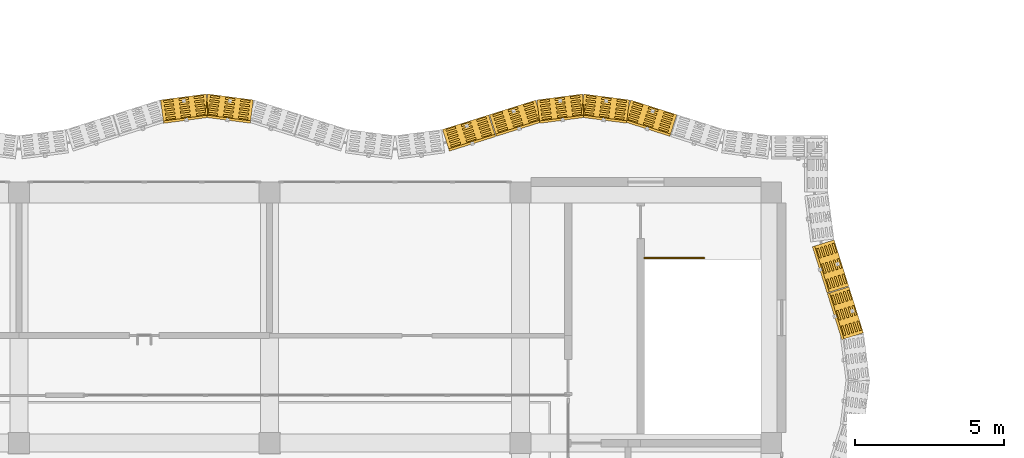
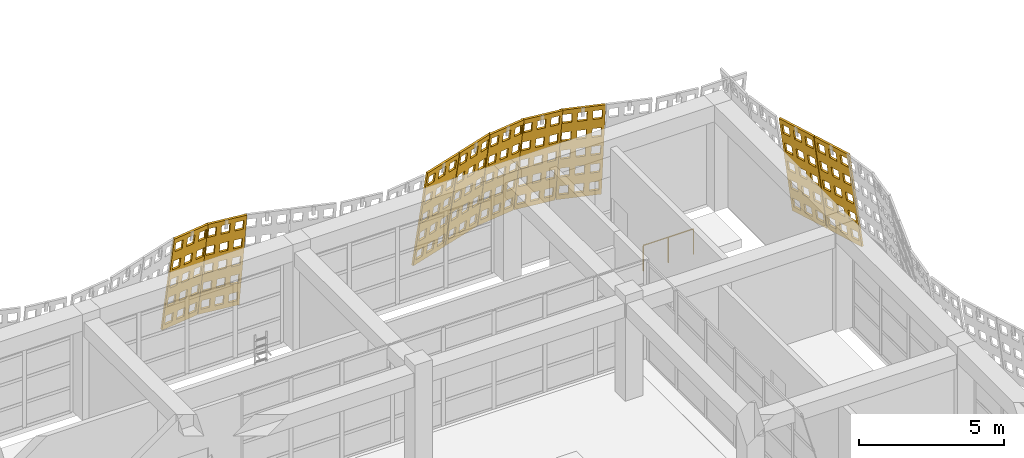
# One storey, part 84 of 85: 9 coverings, 1 railing.
"""IFC4 building model written with IfcOpenShell, lengths in metres."""

import ifcopenshell
import ifcopenshell.guid

model = None  # the IFC model being written
_history = None  # IfcOwnerHistory: only IFC2X3 demands one
_inside = {}  # id of a spatial element -> (the spatial element, [elements in it])
_under = {}  # id of a project, library or spatial element -> (it, [spatial elements below it])
_declared = {}  # id of a project -> (the project, [libraries it declares])
_typed = {}  # id of a type object -> (the type object, [elements of that type])
_made_of = {}  # id of a material, layer set ... -> (it, [elements and type objects made of it])


def new_model(schema):
    """Start an empty IFC model of exactly this schema.

    Asked for "IFC4X3", IfcOpenShell would pick the latest addendum, in which some entities
    have other attributes; the version numbers below select the first issue.
    IFC2X3 requires an IfcOwnerHistory on every rooted entity: one is made here for all.
    """
    global model, _history
    if schema == "IFC4X3":
        model = ifcopenshell.file(schema_version=(4, 3, 0, 0))
    else:
        model = ifcopenshell.file(schema=schema)
    _inside.clear()
    _under.clear()
    _declared.clear()
    _typed.clear()
    _made_of.clear()
    _history = None
    if model.schema == "IFC2X3":
        org = make("IfcOrganization", Name="unknown")
        user = make(
            "IfcPersonAndOrganization",
            ThePerson=make("IfcPerson", FamilyName="unknown"),
            TheOrganization=org,
        )
        app = make(
            "IfcApplication",
            ApplicationDeveloper=org,
            Version="unknown",
            ApplicationFullName="unknown",
            ApplicationIdentifier="unknown",
        )
        _history = make(
            "IfcOwnerHistory",
            OwningUser=user,
            OwningApplication=app,
            ChangeAction="ADDED",
            CreationDate=0,
        )
    return model


def make(cls, **values):
    """One entity of the class cls with the attributes given. An attribute that is None is left unset."""
    return model.create_entity(
        cls, **{name: value for name, value in values.items() if value is not None}
    )


def rooted(cls, **values):
    """An entity with a GlobalId (a new one), such as an element, a storey or a relation."""
    return make(cls, GlobalId=ifcopenshell.guid.new(), OwnerHistory=_history, **values)


def si_unit(unit_type, name, prefix=None):
    """IfcSIUnit, for example si_unit("LENGTHUNIT", "METRE", prefix="MILLI")."""
    return make("IfcSIUnit", UnitType=unit_type, Prefix=prefix, Name=name)


def assignment(units):
    """IfcUnitAssignment: the units of a project."""
    return None if units is None else make("IfcUnitAssignment", Units=units)


def point(xyz):
    """IfcCartesianPoint."""
    return None if xyz is None else make("IfcCartesianPoint", Coordinates=xyz)


def direction(xyz):
    """IfcDirection."""
    return None if xyz is None else make("IfcDirection", DirectionRatios=xyz)


def frame(location, z_axis=None, x_axis=None):
    """IfcAxis2Placement3D, a coordinate frame: its origin and axes. An axis left out is left unset."""
    return make(
        "IfcAxis2Placement3D",
        Location=point(location),
        Axis=direction(z_axis),
        RefDirection=direction(x_axis),
    )


def frame_2d(location, x_axis=None):
    """IfcAxis2Placement2D, a coordinate frame in the plane: its origin and x axis."""
    return make(
        "IfcAxis2Placement2D", Location=point(location), RefDirection=direction(x_axis)
    )


def origin():
    """The frame at (0, 0, 0) with its axes left unset."""
    return frame((0.0, 0.0, 0.0))


def origin_2d():
    """The frame at (0, 0) in the plane with its x axis left unset."""
    return frame_2d((0.0, 0.0))


def place(relative_to, where):
    """IfcLocalPlacement: puts the frame where relative to a parent placement (None: the world)."""
    return make(
        "IfcLocalPlacement", PlacementRelTo=relative_to, RelativePlacement=where
    )


def context(
    kind, dimensions, precision=None, world=None, true_north=None, identifier=None
):
    """IfcGeometricRepresentationContext, for example the 3D "Model" context."""
    return make(
        "IfcGeometricRepresentationContext",
        ContextIdentifier=identifier,
        ContextType=kind,
        CoordinateSpaceDimension=dimensions,
        Precision=precision,
        WorldCoordinateSystem=world,
        TrueNorth=true_north,
    )


def subcontext(parent, identifier, kind, view, scale=None):
    """IfcGeometricRepresentationSubContext, for example "Body" below "Model"."""
    return make(
        "IfcGeometricRepresentationSubContext",
        ContextIdentifier=identifier,
        ContextType=kind,
        ParentContext=parent,
        TargetScale=scale,
        TargetView=view,
    )


def project(units=None, contexts=None):
    """IfcProject with its units and contexts."""
    return rooted(
        "IfcProject",
        Name="project",
        RepresentationContexts=contexts,
        UnitsInContext=assignment(units),
    )


def spatial(cls, under=None, at=None, **own):
    """A site, building, storey or space (cls), placed at a placement, below another one or the project."""
    s = rooted(cls, ObjectPlacement=at, **own)
    if under is not None:
        _under.setdefault(under.id(), (under, []))[1].append(s)
    return s


def polyline(points):
    """IfcPolyline through the points."""
    return make("IfcPolyline", Points=[point(p) for p in points])


def profile(cls, at=None, kind="AREA", **sizes):
    """A parametric profile (cls). Its sizes go by their IFC names, for example OverallWidth=200.0."""
    return make(cls, ProfileType=kind, Position=at, **sizes)


def circle(**sizes):
    """IfcCircleProfileDef."""
    return profile("IfcCircleProfileDef", **sizes)


def outline(outer, holes=None, kind="AREA"):
    """IfcArbitraryClosedProfileDef: a profile drawn as a closed curve; with holes, ...WithVoids."""
    if holes is None:
        return make("IfcArbitraryClosedProfileDef", ProfileType=kind, OuterCurve=outer)
    return make(
        "IfcArbitraryProfileDefWithVoids",
        ProfileType=kind,
        OuterCurve=outer,
        InnerCurves=holes,
    )


def extrude(swept, where, along, depth):
    """IfcExtrudedAreaSolid: the profile swept, set in the frame where, extruded along a direction by depth."""
    return make(
        "IfcExtrudedAreaSolid",
        SweptArea=swept,
        Position=where,
        ExtrudedDirection=direction(along),
        Depth=depth,
    )


def shape(context_of_items, identifier, shape_type, items):
    """IfcShapeRepresentation: the items that make up one representation, for example the "Body"."""
    return make(
        "IfcShapeRepresentation",
        ContextOfItems=context_of_items,
        RepresentationIdentifier=identifier,
        RepresentationType=shape_type,
        Items=items,
    )


def material(Name=None, Category=None):
    """IfcMaterial."""
    return make("IfcMaterial", Name=Name, Category=Category)


def layer(
    of_material, thickness, ventilated=None, Name=None, Category=None, Priority=None
):
    """IfcMaterialLayer: one layer of a wall or slab, of a material (None: an air gap)."""
    return make(
        "IfcMaterialLayer",
        Material=of_material,
        LayerThickness=thickness,
        IsVentilated=ventilated,
        Name=Name,
        Category=Category,
        Priority=Priority,
    )


def layer_set(layers, Name=None):
    """IfcMaterialLayerSet."""
    return make("IfcMaterialLayerSet", MaterialLayers=layers, LayerSetName=Name)


def made_of(thing, what):
    """Note that an element or type object is made of a material, layer set ...; save() writes the relation."""
    if what is not None:
        _made_of.setdefault(what.id(), (what, []))[1].append(thing)
    return thing


def type_object(cls, material=None, **own):
    """A type object (cls), such as IfcWallType, which elements share."""
    return made_of(rooted(cls, **own), material)


def element(
    cls,
    number,
    at=None,
    inside=None,
    cuts=None,
    type_object=None,
    material=None,
    context=None,
    identifier="Body",
    shape_type=None,
    held_by="IfcProductDefinitionShape",
    body=None,
    shapes=None,
    **own,
):
    """One element of the class cls, such as IfcWall. Its Tag is "e" and its number.

    at: its placement. inside: the storey or other place that contains it. cuts: it is an
    opening in that element (IfcRelVoidsElement). A single representation is given by context,
    identifier, shape_type and body (its items); several are given by shapes. held_by: the class
    of the entity that holds the representations. save() writes the other relations.
    """
    e = rooted(cls, Tag="e%d" % number, ObjectPlacement=at, **own)
    if body is not None:
        shapes = [shape(context, identifier, shape_type, body)]
    if shapes is not None:
        e.Representation = make(held_by, Representations=shapes)
    if inside is not None:
        _inside.setdefault(inside.id(), (inside, []))[1].append(e)
    if cuts is not None:
        rooted(
            "IfcRelVoidsElement", RelatingBuildingElement=cuts, RelatedOpeningElement=e
        )
    if type_object is not None:
        _typed.setdefault(type_object.id(), (type_object, []))[1].append(e)
    return made_of(e, material)


def aggregate(whole, parts):
    """IfcRelAggregates: a whole, such as a stair, and the parts it consists of."""
    return rooted("IfcRelAggregates", RelatingObject=whole, RelatedObjects=parts)


def save(model, path):
    """Write the relations noted so far, then the file.

    IfcRelAggregates (storeys below a building ...), IfcRelContainedInSpatialStructure (elements
    in a storey), IfcRelDefinesByType, IfcRelAssociatesMaterial and IfcRelDeclares: one each for
    every whole, place, type object, material and project.
    """
    for whole, parts in _under.values():
        aggregate(whole, parts)
    for where, things in _inside.values():
        rooted(
            "IfcRelContainedInSpatialStructure",
            RelatedElements=things,
            RelatingStructure=where,
        )
    for kind, things in _typed.values():
        rooted("IfcRelDefinesByType", RelatedObjects=things, RelatingType=kind)
    for what, things in _made_of.values():
        rooted("IfcRelAssociatesMaterial", RelatedObjects=things, RelatingMaterial=what)
    for by, libraries in _declared.values():
        rooted("IfcRelDeclares", RelatingContext=by, RelatedDefinitions=libraries)
    model.write(path)


model = new_model("IFC4")

# Units and contexts
model_context = context("Model", 3, precision=1e-05, world=origin(), true_north=direction((0.0, 1.0)))
body_context = subcontext(model_context, "Body", "Model", "MODEL_VIEW")
ifc_project = project(units=[si_unit("LENGTHUNIT", "METRE"), si_unit("AREAUNIT", "SQUARE_METRE"), si_unit("VOLUMEUNIT", "CUBIC_METRE"), si_unit("PLANEANGLEUNIT", "RADIAN"), si_unit("MASSUNIT", "GRAM", prefix="KILO")], contexts=[model_context])

# Site, building, storey
site_placement = place(None, origin())
site = spatial("IfcSite", under=ifc_project, at=site_placement, CompositionType="ELEMENT")
building_placement = place(site_placement, origin())
building = spatial("IfcBuilding", under=site, at=building_placement, Name="Rain Tree Exposition and Congress Centre", CompositionType="ELEMENT")
storey_placement = place(building_placement, frame((0.0, 0.0, 15.0)))
storey = spatial("IfcBuildingStorey", under=building, at=storey_placement, Name="L03", CompositionType="ELEMENT", Elevation=15.0)

# Coverings
ifc_material_1 = material(Name="Perforated terracotta", Category="masonry")
ifc_layer = layer(ifc_material_1, 0.080078125)
ifc_layer_set = layer_set([ifc_layer], Name="Perforated terracotta")
covering_type = type_object("IfcCoveringType", Name="Terracotta screen 80", PredefinedType="CLADDING", material=ifc_layer_set)
covering_1_placement = place(storey_placement, frame((53.493408203125, 45.67431640625, 0.0126953125), z_axis=(-0.942029390639, -0.295717964052, -0.158529217842), x_axis=(0.29950542383, -0.954094597562, 0.0)))
element("IfcCovering", 1, at=covering_1_placement, inside=storey, type_object=covering_type, Name="wing/screen/L03/064", PredefinedType="CLADDING", context=body_context, shape_type="SweptSolid", body=[
    extrude(outline(polyline([(-1.635986328125, 0.0), (-1.635986328125, 4.291259765625), (-0.02197265625, 4.291259765625), (-0.02197265625, 0.0), (-1.635986328125, 0.0)]), holes=[polyline([(-0.124267578125, 0.221435546875), (-0.124267578125, 0.63671875), (-0.457763671875, 0.63671875), (-0.457763671875, 0.221435546875), (-0.124267578125, 0.221435546875)]), polyline([(-0.124267578125, 1.07958984375), (-0.124267578125, 1.4951171875), (-0.457763671875, 1.4951171875), (-0.457763671875, 1.07958984375), (-0.124267578125, 1.07958984375)]), polyline([(-0.124267578125, 1.93798828125), (-0.124267578125, 2.353271484375), (-0.457763671875, 2.353271484375), (-0.457763671875, 1.93798828125), (-0.124267578125, 1.93798828125)]), polyline([(-0.124267578125, 2.796142578125), (-0.124267578125, 3.21142578125), (-0.457763671875, 3.21142578125), (-0.457763671875, 2.796142578125), (-0.124267578125, 2.796142578125)]), polyline([(-0.124267578125, 3.654541015625), (-0.124267578125, 4.06982421875), (-0.457763671875, 4.06982421875), (-0.457763671875, 3.654541015625), (-0.124267578125, 3.654541015625)]), polyline([(-0.662109375, 0.221435546875), (-0.662109375, 0.63671875), (-0.995849609375, 0.63671875), (-0.995849609375, 0.221435546875), (-0.662109375, 0.221435546875)]), polyline([(-0.662109375, 1.07958984375), (-0.662109375, 1.4951171875), (-0.995849609375, 1.4951171875), (-0.995849609375, 1.07958984375), (-0.662109375, 1.07958984375)]), polyline([(-0.662109375, 1.93798828125), (-0.662109375, 2.353271484375), (-0.995849609375, 2.353271484375), (-0.995849609375, 1.93798828125), (-0.662109375, 1.93798828125)]), polyline([(-0.662109375, 2.796142578125), (-0.662109375, 3.21142578125), (-0.995849609375, 3.21142578125), (-0.995849609375, 2.796142578125), (-0.662109375, 2.796142578125)]), polyline([(-0.662109375, 3.654541015625), (-0.662109375, 4.06982421875), (-0.995849609375, 4.06982421875), (-0.995849609375, 3.654541015625), (-0.662109375, 3.654541015625)]), polyline([(-1.2001953125, 0.221435546875), (-1.2001953125, 0.63671875), (-1.53369140625, 0.63671875), (-1.53369140625, 0.221435546875), (-1.2001953125, 0.221435546875)]), polyline([(-1.2001953125, 1.07958984375), (-1.2001953125, 1.4951171875), (-1.53369140625, 1.4951171875), (-1.53369140625, 1.07958984375), (-1.2001953125, 1.07958984375)]), polyline([(-1.2001953125, 1.93798828125), (-1.2001953125, 2.353271484375), (-1.53369140625, 2.353271484375), (-1.53369140625, 1.93798828125), (-1.2001953125, 1.93798828125)]), polyline([(-1.2001953125, 2.796142578125), (-1.2001953125, 3.21142578125), (-1.53369140625, 3.21142578125), (-1.53369140625, 2.796142578125), (-1.2001953125, 2.796142578125)]), polyline([(-1.2001953125, 3.654541015625), (-1.2001953125, 4.06982421875), (-1.53369140625, 4.06982421875), (-1.53369140625, 3.654541015625), (-1.2001953125, 3.654541015625)])]), origin(), (0.0, 0.0, 1.0), 0.080078125),
])
covering_2_placement = place(storey_placement, frame((52.998291015625, 47.24951171875, 0.0126953125), z_axis=(-0.940827598844, -0.299354235996, -0.158841023181), x_axis=(0.303203657277, -0.952925780013, 0.0)))
element("IfcCovering", 2, at=covering_2_placement, inside=storey, type_object=covering_type, Name="wing/screen/L03/065", PredefinedType="CLADDING", context=body_context, shape_type="SweptSolid", body=[
    extrude(outline(polyline([(-1.635986328125, 0.0), (-1.635986328125, 4.291259765625), (-0.014892578125, 4.291259765625), (-0.014892578125, 0.0), (-1.635986328125, 0.0)]), holes=[polyline([(-0.11767578125, 0.221435546875), (-0.11767578125, 0.63671875), (-0.45263671875, 0.63671875), (-0.45263671875, 0.221435546875), (-0.11767578125, 0.221435546875)]), polyline([(-0.11767578125, 1.07958984375), (-0.11767578125, 1.4951171875), (-0.45263671875, 1.4951171875), (-0.45263671875, 1.07958984375), (-0.11767578125, 1.07958984375)]), polyline([(-0.11767578125, 1.93798828125), (-0.11767578125, 2.353271484375), (-0.45263671875, 2.353271484375), (-0.45263671875, 1.93798828125), (-0.11767578125, 1.93798828125)]), polyline([(-0.11767578125, 2.796142578125), (-0.11767578125, 3.21142578125), (-0.45263671875, 3.21142578125), (-0.45263671875, 2.796142578125), (-0.11767578125, 2.796142578125)]), polyline([(-0.11767578125, 3.654541015625), (-0.11767578125, 4.06982421875), (-0.45263671875, 4.06982421875), (-0.45263671875, 3.654541015625), (-0.11767578125, 3.654541015625)]), polyline([(-0.657958984375, 0.221435546875), (-0.657958984375, 0.63671875), (-0.992919921875, 0.63671875), (-0.992919921875, 0.221435546875), (-0.657958984375, 0.221435546875)]), polyline([(-0.657958984375, 1.07958984375), (-0.657958984375, 1.4951171875), (-0.992919921875, 1.4951171875), (-0.992919921875, 1.07958984375), (-0.657958984375, 1.07958984375)]), polyline([(-0.657958984375, 1.93798828125), (-0.657958984375, 2.353271484375), (-0.992919921875, 2.353271484375), (-0.992919921875, 1.93798828125), (-0.657958984375, 1.93798828125)]), polyline([(-0.657958984375, 2.796142578125), (-0.657958984375, 3.21142578125), (-0.992919921875, 3.21142578125), (-0.992919921875, 2.796142578125), (-0.657958984375, 2.796142578125)]), polyline([(-0.657958984375, 3.654541015625), (-0.657958984375, 4.06982421875), (-0.992919921875, 4.06982421875), (-0.992919921875, 3.654541015625), (-0.657958984375, 3.654541015625)]), polyline([(-1.1982421875, 0.221435546875), (-1.1982421875, 0.63671875), (-1.533203125, 0.63671875), (-1.533203125, 0.221435546875), (-1.1982421875, 0.221435546875)]), polyline([(-1.1982421875, 1.07958984375), (-1.1982421875, 1.4951171875), (-1.533203125, 1.4951171875), (-1.533203125, 1.07958984375), (-1.1982421875, 1.07958984375)]), polyline([(-1.1982421875, 1.93798828125), (-1.1982421875, 2.353271484375), (-1.533203125, 2.353271484375), (-1.533203125, 1.93798828125), (-1.1982421875, 1.93798828125)]), polyline([(-1.1982421875, 2.796142578125), (-1.1982421875, 3.21142578125), (-1.533203125, 3.21142578125), (-1.533203125, 2.796142578125), (-1.1982421875, 2.796142578125)]), polyline([(-1.1982421875, 3.654541015625), (-1.1982421875, 4.06982421875), (-1.533203125, 4.06982421875), (-1.533203125, 3.654541015625), (-1.1982421875, 3.654541015625)])]), origin(), (0.0, 0.0, 1.0), 0.079833984375),
])
covering_3_placement = place(storey_placement, frame((47.24951171875, 52.998291015625, 0.0126953125), z_axis=(-0.299354235996, -0.940827598844, -0.158841023181), x_axis=(0.952925780013, -0.303203657277, 0.0)))
element("IfcCovering", 3, at=covering_3_placement, inside=storey, type_object=covering_type, Name="wing/screen/L03/071", PredefinedType="CLADDING", context=body_context, shape_type="SweptSolid", body=[
    extrude(outline(polyline([(-1.62890625, 0.0), (-1.62890625, 4.291259765625), (-0.014892578125, 4.291259765625), (-0.014892578125, 0.0), (-1.62890625, 0.0)]), holes=[polyline([(-0.1171875, 0.221435546875), (-0.1171875, 0.63671875), (-0.45068359375, 0.63671875), (-0.45068359375, 0.221435546875), (-0.1171875, 0.221435546875)]), polyline([(-0.1171875, 1.07958984375), (-0.1171875, 1.4951171875), (-0.45068359375, 1.4951171875), (-0.45068359375, 1.07958984375), (-0.1171875, 1.07958984375)]), polyline([(-0.1171875, 1.93798828125), (-0.1171875, 2.353271484375), (-0.45068359375, 2.353271484375), (-0.45068359375, 1.93798828125), (-0.1171875, 1.93798828125)]), polyline([(-0.1171875, 2.796142578125), (-0.1171875, 3.21142578125), (-0.45068359375, 3.21142578125), (-0.45068359375, 2.796142578125), (-0.1171875, 2.796142578125)]), polyline([(-0.1171875, 3.654541015625), (-0.1171875, 4.06982421875), (-0.45068359375, 4.06982421875), (-0.45068359375, 3.654541015625), (-0.1171875, 3.654541015625)]), polyline([(-0.6552734375, 0.221435546875), (-0.6552734375, 0.63671875), (-0.98876953125, 0.63671875), (-0.98876953125, 0.221435546875), (-0.6552734375, 0.221435546875)]), polyline([(-0.6552734375, 1.07958984375), (-0.6552734375, 1.4951171875), (-0.98876953125, 1.4951171875), (-0.98876953125, 1.07958984375), (-0.6552734375, 1.07958984375)]), polyline([(-0.6552734375, 1.93798828125), (-0.6552734375, 2.353271484375), (-0.98876953125, 2.353271484375), (-0.98876953125, 1.93798828125), (-0.6552734375, 1.93798828125)]), polyline([(-0.6552734375, 2.796142578125), (-0.6552734375, 3.21142578125), (-0.98876953125, 3.21142578125), (-0.98876953125, 2.796142578125), (-0.6552734375, 2.796142578125)]), polyline([(-0.6552734375, 3.654541015625), (-0.6552734375, 4.06982421875), (-0.98876953125, 4.06982421875), (-0.98876953125, 3.654541015625), (-0.6552734375, 3.654541015625)]), polyline([(-1.193115234375, 0.221435546875), (-1.193115234375, 0.63671875), (-1.526611328125, 0.63671875), (-1.526611328125, 0.221435546875), (-1.193115234375, 0.221435546875)]), polyline([(-1.193115234375, 1.07958984375), (-1.193115234375, 1.4951171875), (-1.526611328125, 1.4951171875), (-1.526611328125, 1.07958984375), (-1.193115234375, 1.07958984375)]), polyline([(-1.193115234375, 1.93798828125), (-1.193115234375, 2.353271484375), (-1.526611328125, 2.353271484375), (-1.526611328125, 1.93798828125), (-1.193115234375, 1.93798828125)]), polyline([(-1.193115234375, 2.796142578125), (-1.193115234375, 3.21142578125), (-1.526611328125, 3.21142578125), (-1.526611328125, 2.796142578125), (-1.193115234375, 2.796142578125)]), polyline([(-1.193115234375, 3.654541015625), (-1.193115234375, 4.06982421875), (-1.526611328125, 4.06982421875), (-1.526611328125, 3.654541015625), (-1.193115234375, 3.654541015625)])]), origin(), (0.0, 0.0, 1.0), 0.079833984375),
])
covering_4_placement = place(storey_placement, frame((45.6748046875, 53.4931640625, 0.01318359375), z_axis=(-0.127967328105, -0.978036007662, -0.16452942185), x_axis=(0.991548658387, -0.129735338481, 0.0)))
element("IfcCovering", 4, at=covering_4_placement, inside=storey, type_object=covering_type, Name="wing/screen/L03/072", PredefinedType="CLADDING", context=body_context, shape_type="SweptSolid", body=[
    extrude(outline(polyline([(-1.56298828125, 0.0), (-1.56298828125, 4.295166015625), (-0.02197265625, 4.295166015625), (-0.02197265625, 0.0), (-1.56298828125, 0.0)]), holes=[polyline([(-0.11962890625, 0.2216796875), (-0.11962890625, 0.63720703125), (-0.43798828125, 0.63720703125), (-0.43798828125, 0.2216796875), (-0.11962890625, 0.2216796875)]), polyline([(-0.11962890625, 1.080810546875), (-0.11962890625, 1.496337890625), (-0.43798828125, 1.496337890625), (-0.43798828125, 1.080810546875), (-0.11962890625, 1.080810546875)]), polyline([(-0.11962890625, 1.939697265625), (-0.11962890625, 2.35546875), (-0.43798828125, 2.35546875), (-0.43798828125, 1.939697265625), (-0.11962890625, 1.939697265625)]), polyline([(-0.11962890625, 2.798583984375), (-0.11962890625, 3.21435546875), (-0.43798828125, 3.21435546875), (-0.43798828125, 2.798583984375), (-0.11962890625, 2.798583984375)]), polyline([(-0.11962890625, 3.65771484375), (-0.11962890625, 4.073486328125), (-0.43798828125, 4.073486328125), (-0.43798828125, 3.65771484375), (-0.11962890625, 3.65771484375)]), polyline([(-0.63330078125, 0.2216796875), (-0.63330078125, 0.63720703125), (-0.95166015625, 0.63720703125), (-0.95166015625, 0.2216796875), (-0.63330078125, 0.2216796875)]), polyline([(-0.63330078125, 1.080810546875), (-0.63330078125, 1.496337890625), (-0.95166015625, 1.496337890625), (-0.95166015625, 1.080810546875), (-0.63330078125, 1.080810546875)]), polyline([(-0.63330078125, 1.939697265625), (-0.63330078125, 2.35546875), (-0.95166015625, 2.35546875), (-0.95166015625, 1.939697265625), (-0.63330078125, 1.939697265625)]), polyline([(-0.63330078125, 2.798583984375), (-0.63330078125, 3.21435546875), (-0.95166015625, 3.21435546875), (-0.95166015625, 2.798583984375), (-0.63330078125, 2.798583984375)]), polyline([(-0.63330078125, 3.65771484375), (-0.63330078125, 4.073486328125), (-0.95166015625, 4.073486328125), (-0.95166015625, 3.65771484375), (-0.63330078125, 3.65771484375)]), polyline([(-1.146728515625, 0.2216796875), (-1.146728515625, 0.63720703125), (-1.46533203125, 0.63720703125), (-1.46533203125, 0.2216796875), (-1.146728515625, 0.2216796875)]), polyline([(-1.146728515625, 1.080810546875), (-1.146728515625, 1.496337890625), (-1.46533203125, 1.496337890625), (-1.46533203125, 1.080810546875), (-1.146728515625, 1.080810546875)]), polyline([(-1.146728515625, 1.939697265625), (-1.146728515625, 2.35546875), (-1.46533203125, 2.35546875), (-1.46533203125, 1.939697265625), (-1.146728515625, 1.939697265625)]), polyline([(-1.146728515625, 2.798583984375), (-1.146728515625, 3.21435546875), (-1.46533203125, 3.21435546875), (-1.46533203125, 2.798583984375), (-1.146728515625, 2.798583984375)]), polyline([(-1.146728515625, 3.65771484375), (-1.146728515625, 4.073486328125), (-1.46533203125, 4.073486328125), (-1.46533203125, 3.65771484375), (-1.146728515625, 3.65771484375)])]), origin(), (0.0, 0.0, 1.0), 0.080078125),
])
covering_5_placement = place(storey_placement, frame((44.100341796875, 53.697998046875, 0.01318359375), z_axis=(0.128349774249, -0.9779030419, -0.165021138321), x_axis=(0.991496427865, 0.130133906157, 0.0)))
element("IfcCovering", 5, at=covering_5_placement, inside=storey, type_object=covering_type, Name="wing/screen/L03/073", PredefinedType="CLADDING", context=body_context, shape_type="SweptSolid", body=[
    extrude(outline(polyline([(-1.56640625, 0.0), (-1.56640625, 4.295166015625), (-0.025390625, 4.295166015625), (-0.025390625, 0.0), (-1.56640625, 0.0)]), holes=[polyline([(-0.123046875, 0.2216796875), (-0.123046875, 0.63720703125), (-0.44140625, 0.63720703125), (-0.44140625, 0.2216796875), (-0.123046875, 0.2216796875)]), polyline([(-0.123046875, 1.080810546875), (-0.123046875, 1.496337890625), (-0.44140625, 1.496337890625), (-0.44140625, 1.080810546875), (-0.123046875, 1.080810546875)]), polyline([(-0.123046875, 1.939697265625), (-0.123046875, 2.35546875), (-0.44140625, 2.35546875), (-0.44140625, 1.939697265625), (-0.123046875, 1.939697265625)]), polyline([(-0.123046875, 2.798583984375), (-0.123046875, 3.21435546875), (-0.44140625, 3.21435546875), (-0.44140625, 2.798583984375), (-0.123046875, 2.798583984375)]), polyline([(-0.123046875, 3.65771484375), (-0.123046875, 4.073486328125), (-0.44140625, 4.073486328125), (-0.44140625, 3.65771484375), (-0.123046875, 3.65771484375)]), polyline([(-0.63671875, 0.2216796875), (-0.63671875, 0.63720703125), (-0.955078125, 0.63720703125), (-0.955078125, 0.2216796875), (-0.63671875, 0.2216796875)]), polyline([(-0.63671875, 1.080810546875), (-0.63671875, 1.496337890625), (-0.955078125, 1.496337890625), (-0.955078125, 1.080810546875), (-0.63671875, 1.080810546875)]), polyline([(-0.63671875, 1.939697265625), (-0.63671875, 2.35546875), (-0.955078125, 2.35546875), (-0.955078125, 1.939697265625), (-0.63671875, 1.939697265625)]), polyline([(-0.63671875, 2.798583984375), (-0.63671875, 3.21435546875), (-0.955078125, 3.21435546875), (-0.955078125, 2.798583984375), (-0.63671875, 2.798583984375)]), polyline([(-0.63671875, 3.65771484375), (-0.63671875, 4.073486328125), (-0.955078125, 4.073486328125), (-0.955078125, 3.65771484375), (-0.63671875, 3.65771484375)]), polyline([(-1.150146484375, 0.2216796875), (-1.150146484375, 0.63720703125), (-1.46875, 0.63720703125), (-1.46875, 0.2216796875), (-1.150146484375, 0.2216796875)]), polyline([(-1.150146484375, 1.080810546875), (-1.150146484375, 1.496337890625), (-1.46875, 1.496337890625), (-1.46875, 1.080810546875), (-1.150146484375, 1.080810546875)]), polyline([(-1.150146484375, 1.939697265625), (-1.150146484375, 2.35546875), (-1.46875, 2.35546875), (-1.46875, 1.939697265625), (-1.150146484375, 1.939697265625)]), polyline([(-1.150146484375, 2.798583984375), (-1.150146484375, 3.21435546875), (-1.46875, 3.21435546875), (-1.46875, 2.798583984375), (-1.150146484375, 2.798583984375)]), polyline([(-1.150146484375, 3.65771484375), (-1.150146484375, 4.073486328125), (-1.46875, 4.073486328125), (-1.46875, 3.65771484375), (-1.150146484375, 3.65771484375)])]), origin(), (0.0, 0.0, 1.0), 0.079833984375),
])
covering_6_placement = place(storey_placement, frame((42.525634765625, 53.493408203125, 0.0126953125), z_axis=(0.295717964052, -0.942029390639, -0.158529217842), x_axis=(0.954094597562, 0.29950542383, 0.0)))
element("IfcCovering", 6, at=covering_6_placement, inside=storey, type_object=covering_type, Name="wing/screen/L03/074", PredefinedType="CLADDING", context=body_context, shape_type="SweptSolid", body=[
    extrude(outline(polyline([(-1.635986328125, 0.0), (-1.635986328125, 4.291259765625), (-0.02197265625, 4.291259765625), (-0.02197265625, 0.0), (-1.635986328125, 0.0)]), holes=[polyline([(-0.124267578125, 0.221435546875), (-0.124267578125, 0.63671875), (-0.457763671875, 0.63671875), (-0.457763671875, 0.221435546875), (-0.124267578125, 0.221435546875)]), polyline([(-0.124267578125, 1.07958984375), (-0.124267578125, 1.4951171875), (-0.457763671875, 1.4951171875), (-0.457763671875, 1.07958984375), (-0.124267578125, 1.07958984375)]), polyline([(-0.124267578125, 1.93798828125), (-0.124267578125, 2.353271484375), (-0.457763671875, 2.353271484375), (-0.457763671875, 1.93798828125), (-0.124267578125, 1.93798828125)]), polyline([(-0.124267578125, 2.796142578125), (-0.124267578125, 3.21142578125), (-0.457763671875, 3.21142578125), (-0.457763671875, 2.796142578125), (-0.124267578125, 2.796142578125)]), polyline([(-0.124267578125, 3.654541015625), (-0.124267578125, 4.06982421875), (-0.457763671875, 4.06982421875), (-0.457763671875, 3.654541015625), (-0.124267578125, 3.654541015625)]), polyline([(-0.662109375, 0.221435546875), (-0.662109375, 0.63671875), (-0.995849609375, 0.63671875), (-0.995849609375, 0.221435546875), (-0.662109375, 0.221435546875)]), polyline([(-0.662109375, 1.07958984375), (-0.662109375, 1.4951171875), (-0.995849609375, 1.4951171875), (-0.995849609375, 1.07958984375), (-0.662109375, 1.07958984375)]), polyline([(-0.662109375, 1.93798828125), (-0.662109375, 2.353271484375), (-0.995849609375, 2.353271484375), (-0.995849609375, 1.93798828125), (-0.662109375, 1.93798828125)]), polyline([(-0.662109375, 2.796142578125), (-0.662109375, 3.21142578125), (-0.995849609375, 3.21142578125), (-0.995849609375, 2.796142578125), (-0.662109375, 2.796142578125)]), polyline([(-0.662109375, 3.654541015625), (-0.662109375, 4.06982421875), (-0.995849609375, 4.06982421875), (-0.995849609375, 3.654541015625), (-0.662109375, 3.654541015625)]), polyline([(-1.2001953125, 0.221435546875), (-1.2001953125, 0.63671875), (-1.53369140625, 0.63671875), (-1.53369140625, 0.221435546875), (-1.2001953125, 0.221435546875)]), polyline([(-1.2001953125, 1.07958984375), (-1.2001953125, 1.4951171875), (-1.53369140625, 1.4951171875), (-1.53369140625, 1.07958984375), (-1.2001953125, 1.07958984375)]), polyline([(-1.2001953125, 1.93798828125), (-1.2001953125, 2.353271484375), (-1.53369140625, 2.353271484375), (-1.53369140625, 1.93798828125), (-1.2001953125, 1.93798828125)]), polyline([(-1.2001953125, 2.796142578125), (-1.2001953125, 3.21142578125), (-1.53369140625, 3.21142578125), (-1.53369140625, 2.796142578125), (-1.2001953125, 2.796142578125)]), polyline([(-1.2001953125, 3.654541015625), (-1.2001953125, 4.06982421875), (-1.53369140625, 4.06982421875), (-1.53369140625, 3.654541015625), (-1.2001953125, 3.654541015625)])]), origin(), (0.0, 0.0, 1.0), 0.080078125),
])
covering_7_placement = place(storey_placement, frame((40.95068359375, 52.998291015625, 0.0126953125), z_axis=(0.296569528658, -0.941684688936, -0.158985726703), x_axis=(0.953816392794, 0.300390227601, 0.0)))
element("IfcCovering", 7, at=covering_7_placement, inside=storey, type_object=covering_type, Name="wing/screen/L03/075", PredefinedType="CLADDING", context=body_context, shape_type="SweptSolid", body=[
    extrude(outline(polyline([(-1.635986328125, 0.0), (-1.635986328125, 4.291259765625), (-0.014892578125, 4.291259765625), (-0.014892578125, 0.0), (-1.635986328125, 0.0)]), holes=[polyline([(-0.11767578125, 0.221435546875), (-0.11767578125, 0.63671875), (-0.45263671875, 0.63671875), (-0.45263671875, 0.221435546875), (-0.11767578125, 0.221435546875)]), polyline([(-0.11767578125, 1.07958984375), (-0.11767578125, 1.4951171875), (-0.45263671875, 1.4951171875), (-0.45263671875, 1.07958984375), (-0.11767578125, 1.07958984375)]), polyline([(-0.11767578125, 1.93798828125), (-0.11767578125, 2.353271484375), (-0.45263671875, 2.353271484375), (-0.45263671875, 1.93798828125), (-0.11767578125, 1.93798828125)]), polyline([(-0.11767578125, 2.796142578125), (-0.11767578125, 3.21142578125), (-0.45263671875, 3.21142578125), (-0.45263671875, 2.796142578125), (-0.11767578125, 2.796142578125)]), polyline([(-0.11767578125, 3.654541015625), (-0.11767578125, 4.06982421875), (-0.45263671875, 4.06982421875), (-0.45263671875, 3.654541015625), (-0.11767578125, 3.654541015625)]), polyline([(-0.657958984375, 0.221435546875), (-0.657958984375, 0.63671875), (-0.992919921875, 0.63671875), (-0.992919921875, 0.221435546875), (-0.657958984375, 0.221435546875)]), polyline([(-0.657958984375, 1.07958984375), (-0.657958984375, 1.4951171875), (-0.992919921875, 1.4951171875), (-0.992919921875, 1.07958984375), (-0.657958984375, 1.07958984375)]), polyline([(-0.657958984375, 1.93798828125), (-0.657958984375, 2.353271484375), (-0.992919921875, 2.353271484375), (-0.992919921875, 1.93798828125), (-0.657958984375, 1.93798828125)]), polyline([(-0.657958984375, 2.796142578125), (-0.657958984375, 3.21142578125), (-0.992919921875, 3.21142578125), (-0.992919921875, 2.796142578125), (-0.657958984375, 2.796142578125)]), polyline([(-0.657958984375, 3.654541015625), (-0.657958984375, 4.06982421875), (-0.992919921875, 4.06982421875), (-0.992919921875, 3.654541015625), (-0.657958984375, 3.654541015625)]), polyline([(-1.1982421875, 0.221435546875), (-1.1982421875, 0.63671875), (-1.533203125, 0.63671875), (-1.533203125, 0.221435546875), (-1.1982421875, 0.221435546875)]), polyline([(-1.1982421875, 1.07958984375), (-1.1982421875, 1.4951171875), (-1.533203125, 1.4951171875), (-1.533203125, 1.07958984375), (-1.1982421875, 1.07958984375)]), polyline([(-1.1982421875, 1.93798828125), (-1.1982421875, 2.353271484375), (-1.533203125, 2.353271484375), (-1.533203125, 1.93798828125), (-1.1982421875, 1.93798828125)]), polyline([(-1.1982421875, 2.796142578125), (-1.1982421875, 3.21142578125), (-1.533203125, 3.21142578125), (-1.533203125, 2.796142578125), (-1.1982421875, 2.796142578125)]), polyline([(-1.1982421875, 3.654541015625), (-1.1982421875, 4.06982421875), (-1.533203125, 4.06982421875), (-1.533203125, 3.654541015625), (-1.1982421875, 3.654541015625)])]), origin(), (0.0, 0.0, 1.0), 0.079833984375),
])
covering_8_placement = place(storey_placement, frame((33.07470703125, 53.4931640625, 0.01318359375), z_axis=(-0.127967328105, -0.978036007662, -0.16452942185), x_axis=(0.991548658387, -0.129735338481, 0.0)))
element("IfcCovering", 8, at=covering_8_placement, inside=storey, type_object=covering_type, Name="wing/screen/L03/080", PredefinedType="CLADDING", context=body_context, shape_type="SweptSolid", body=[
    extrude(outline(polyline([(-1.56298828125, 0.0), (-1.56298828125, 4.295166015625), (-0.02197265625, 4.295166015625), (-0.02197265625, 0.0), (-1.56298828125, 0.0)]), holes=[polyline([(-0.11962890625, 0.2216796875), (-0.11962890625, 0.63720703125), (-0.43798828125, 0.63720703125), (-0.43798828125, 0.2216796875), (-0.11962890625, 0.2216796875)]), polyline([(-0.11962890625, 1.080810546875), (-0.11962890625, 1.496337890625), (-0.43798828125, 1.496337890625), (-0.43798828125, 1.080810546875), (-0.11962890625, 1.080810546875)]), polyline([(-0.11962890625, 1.939697265625), (-0.11962890625, 2.35546875), (-0.43798828125, 2.35546875), (-0.43798828125, 1.939697265625), (-0.11962890625, 1.939697265625)]), polyline([(-0.11962890625, 2.798583984375), (-0.11962890625, 3.21435546875), (-0.43798828125, 3.21435546875), (-0.43798828125, 2.798583984375), (-0.11962890625, 2.798583984375)]), polyline([(-0.11962890625, 3.65771484375), (-0.11962890625, 4.073486328125), (-0.43798828125, 4.073486328125), (-0.43798828125, 3.65771484375), (-0.11962890625, 3.65771484375)]), polyline([(-0.63330078125, 0.2216796875), (-0.63330078125, 0.63720703125), (-0.95166015625, 0.63720703125), (-0.95166015625, 0.2216796875), (-0.63330078125, 0.2216796875)]), polyline([(-0.63330078125, 1.080810546875), (-0.63330078125, 1.496337890625), (-0.95166015625, 1.496337890625), (-0.95166015625, 1.080810546875), (-0.63330078125, 1.080810546875)]), polyline([(-0.63330078125, 1.939697265625), (-0.63330078125, 2.35546875), (-0.95166015625, 2.35546875), (-0.95166015625, 1.939697265625), (-0.63330078125, 1.939697265625)]), polyline([(-0.63330078125, 2.798583984375), (-0.63330078125, 3.21435546875), (-0.95166015625, 3.21435546875), (-0.95166015625, 2.798583984375), (-0.63330078125, 2.798583984375)]), polyline([(-0.63330078125, 3.65771484375), (-0.63330078125, 4.073486328125), (-0.95166015625, 4.073486328125), (-0.95166015625, 3.65771484375), (-0.63330078125, 3.65771484375)]), polyline([(-1.146728515625, 0.2216796875), (-1.146728515625, 0.63720703125), (-1.46533203125, 0.63720703125), (-1.46533203125, 0.2216796875), (-1.146728515625, 0.2216796875)]), polyline([(-1.146728515625, 1.080810546875), (-1.146728515625, 1.496337890625), (-1.46533203125, 1.496337890625), (-1.46533203125, 1.080810546875), (-1.146728515625, 1.080810546875)]), polyline([(-1.146728515625, 1.939697265625), (-1.146728515625, 2.35546875), (-1.46533203125, 2.35546875), (-1.46533203125, 1.939697265625), (-1.146728515625, 1.939697265625)]), polyline([(-1.146728515625, 2.798583984375), (-1.146728515625, 3.21435546875), (-1.46533203125, 3.21435546875), (-1.46533203125, 2.798583984375), (-1.146728515625, 2.798583984375)]), polyline([(-1.146728515625, 3.65771484375), (-1.146728515625, 4.073486328125), (-1.46533203125, 4.073486328125), (-1.46533203125, 3.65771484375), (-1.146728515625, 3.65771484375)])]), origin(), (0.0, 0.0, 1.0), 0.080078125),
])
covering_9_placement = place(storey_placement, frame((31.500244140625, 53.697998046875, 0.01318359375), z_axis=(0.128349774249, -0.9779030419, -0.165021138321), x_axis=(0.991496427865, 0.130133906157, 0.0)))
element("IfcCovering", 9, at=covering_9_placement, inside=storey, type_object=covering_type, Name="wing/screen/L03/081", PredefinedType="CLADDING", context=body_context, shape_type="SweptSolid", body=[
    extrude(outline(polyline([(-1.56640625, 0.0), (-1.56640625, 4.295166015625), (-0.025390625, 4.295166015625), (-0.025390625, 0.0), (-1.56640625, 0.0)]), holes=[polyline([(-0.123046875, 0.2216796875), (-0.123046875, 0.63720703125), (-0.44140625, 0.63720703125), (-0.44140625, 0.2216796875), (-0.123046875, 0.2216796875)]), polyline([(-0.123046875, 1.080810546875), (-0.123046875, 1.496337890625), (-0.44140625, 1.496337890625), (-0.44140625, 1.080810546875), (-0.123046875, 1.080810546875)]), polyline([(-0.123046875, 1.939697265625), (-0.123046875, 2.35546875), (-0.44140625, 2.35546875), (-0.44140625, 1.939697265625), (-0.123046875, 1.939697265625)]), polyline([(-0.123046875, 2.798583984375), (-0.123046875, 3.21435546875), (-0.44140625, 3.21435546875), (-0.44140625, 2.798583984375), (-0.123046875, 2.798583984375)]), polyline([(-0.123046875, 3.65771484375), (-0.123046875, 4.073486328125), (-0.44140625, 4.073486328125), (-0.44140625, 3.65771484375), (-0.123046875, 3.65771484375)]), polyline([(-0.63671875, 0.2216796875), (-0.63671875, 0.63720703125), (-0.955078125, 0.63720703125), (-0.955078125, 0.2216796875), (-0.63671875, 0.2216796875)]), polyline([(-0.63671875, 1.080810546875), (-0.63671875, 1.496337890625), (-0.955078125, 1.496337890625), (-0.955078125, 1.080810546875), (-0.63671875, 1.080810546875)]), polyline([(-0.63671875, 1.939697265625), (-0.63671875, 2.35546875), (-0.955078125, 2.35546875), (-0.955078125, 1.939697265625), (-0.63671875, 1.939697265625)]), polyline([(-0.63671875, 2.798583984375), (-0.63671875, 3.21435546875), (-0.955078125, 3.21435546875), (-0.955078125, 2.798583984375), (-0.63671875, 2.798583984375)]), polyline([(-0.63671875, 3.65771484375), (-0.63671875, 4.073486328125), (-0.955078125, 4.073486328125), (-0.955078125, 3.65771484375), (-0.63671875, 3.65771484375)]), polyline([(-1.150146484375, 0.2216796875), (-1.150146484375, 0.63720703125), (-1.46875, 0.63720703125), (-1.46875, 0.2216796875), (-1.150146484375, 0.2216796875)]), polyline([(-1.150146484375, 1.080810546875), (-1.150146484375, 1.496337890625), (-1.46875, 1.496337890625), (-1.46875, 1.080810546875), (-1.150146484375, 1.080810546875)]), polyline([(-1.150146484375, 1.939697265625), (-1.150146484375, 2.35546875), (-1.46875, 2.35546875), (-1.46875, 1.939697265625), (-1.150146484375, 1.939697265625)]), polyline([(-1.150146484375, 2.798583984375), (-1.150146484375, 3.21435546875), (-1.46875, 3.21435546875), (-1.46875, 2.798583984375), (-1.150146484375, 2.798583984375)]), polyline([(-1.150146484375, 3.65771484375), (-1.150146484375, 4.073486328125), (-1.46875, 4.073486328125), (-1.46875, 3.65771484375), (-1.150146484375, 3.65771484375)])]), origin(), (0.0, 0.0, 1.0), 0.079833984375),
])

# Railing
ifc_material_2 = material(Name="Steel S355J2H", Category="steel")
railing_type = type_object("IfcRailingType", Name="Wing stair guard 1100", PredefinedType="GUARDRAIL", material=ifc_material_2)
railing_placement = place(storey_placement, frame((46.14990234375, 48.199951171875, 0.0)))
element("IfcRailing", 10, at=railing_placement, inside=storey, type_object=railing_type, Name="L03 ST-W4 top well guard 1", PredefinedType="GUARDRAIL", context=body_context, shape_type="SweptSolid", body=[
    extrude(circle(Radius=0.02392578125, at=origin_2d()), frame((0.0, 0.0, 1.076171875), z_axis=(1.0, 0.0, 0.0), x_axis=(0.0, 1.0, 0.0)), (0.0, 0.0, 1.0), 2.0),
    extrude(circle(Radius=0.02099609375, at=origin_2d()), origin(), (0.0, 0.0, 1.0), 1.052001953125),
    extrude(circle(Radius=0.02099609375, at=origin_2d()), frame((1.0, 0.0, 0.0)), (0.0, 0.0, 1.0), 1.052001953125),
    extrude(circle(Radius=0.02099609375, at=origin_2d()), frame((2.0, 0.0, 0.0)), (0.0, 0.0, 1.0), 1.052001953125),
])

save(model, "model.ifc")
